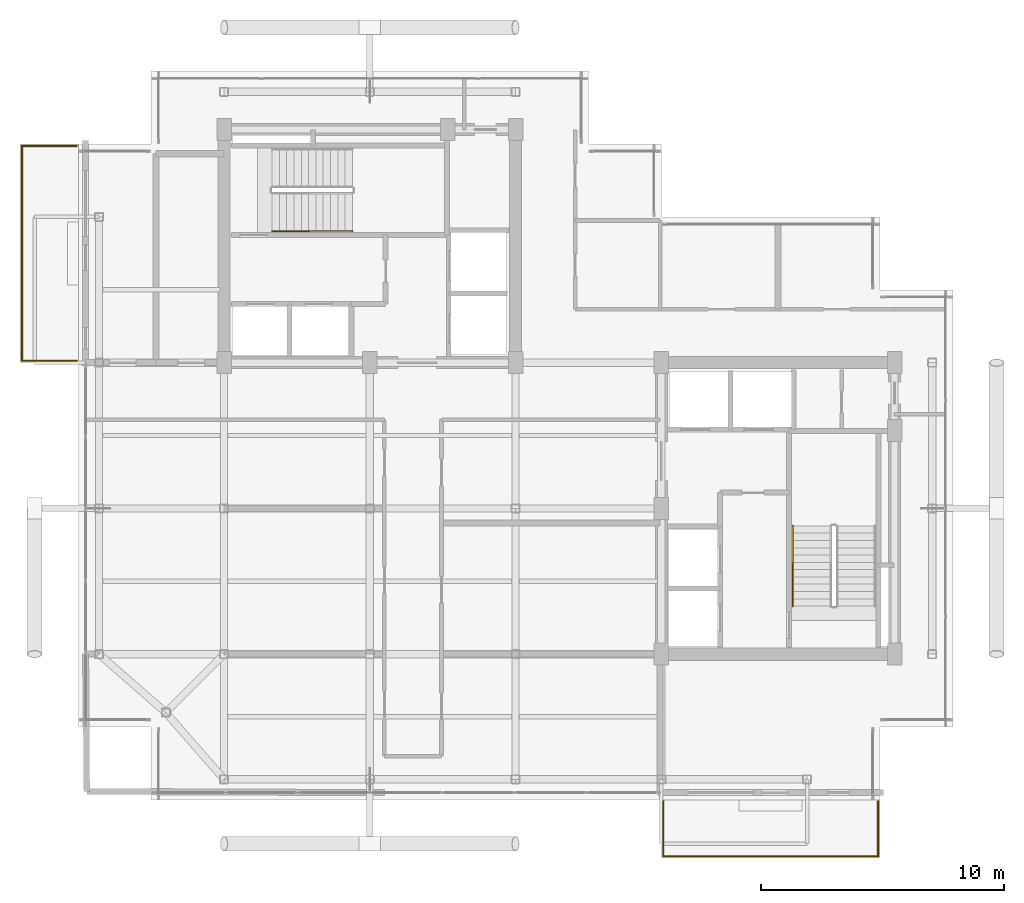
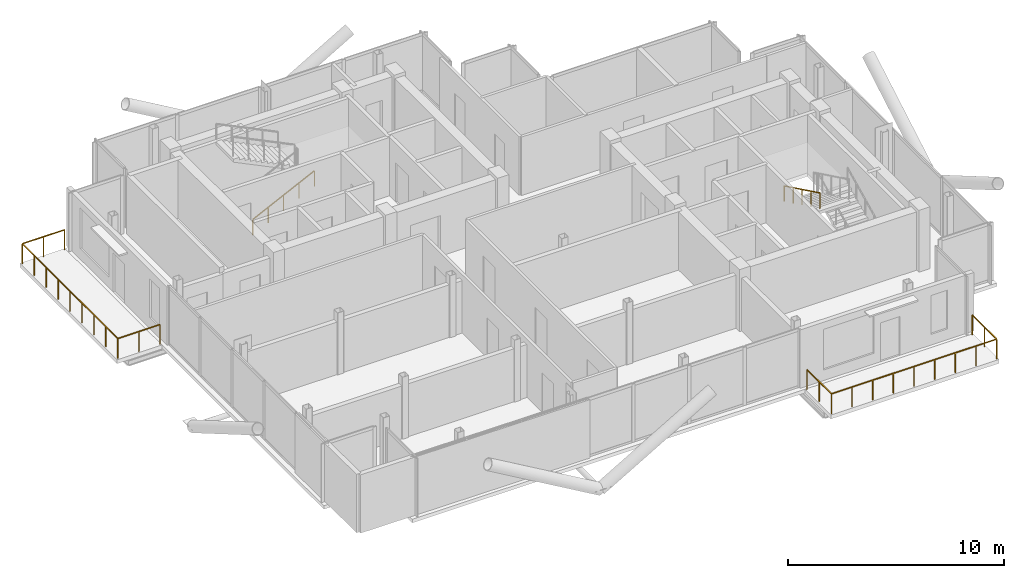
# One storey, part 17 of 18: 4 railings.
"""IFC4 building model written with IfcOpenShell, lengths in metres."""

from ifc_helpers import new_model, si_unit, direction, frame, origin, origin_2d, place, context, subcontext, project, spatial, rectangle, extrude, material, type_object, element, save


model = new_model("IFC4")

# Units and contexts
model_context = context("Model", 3, precision=1e-05, world=origin(), true_north=direction((0.0, 1.0)))
body_context = subcontext(model_context, "Body", "Model", "MODEL_VIEW")
ifc_project = project(units=[si_unit("LENGTHUNIT", "METRE"), si_unit("AREAUNIT", "SQUARE_METRE"), si_unit("VOLUMEUNIT", "CUBIC_METRE"), si_unit("PLANEANGLEUNIT", "RADIAN"), si_unit("MASSUNIT", "GRAM", prefix="KILO"), si_unit("THERMODYNAMICTEMPERATUREUNIT", "KELVIN"), si_unit("POWERUNIT", "WATT")], contexts=[model_context])

# Site, building, storey
site_placement = place(None, origin())
site = spatial("IfcSite", under=ifc_project, at=site_placement, CompositionType="ELEMENT")
building_placement = place(site_placement, origin())
building = spatial("IfcBuilding", under=site, at=building_placement, Name="Svarakhadi Broadcast Tower", CompositionType="ELEMENT")
storey_placement = place(building_placement, frame((0.0, 0.0, 288.699951171875)))
storey = spatial("IfcBuildingStorey", under=building, at=storey_placement, Name="L73", CompositionType="ELEMENT", Elevation=288.699951171875)

# Railings
ifc_material_1 = material(Name="Laminated Structural SentryGlas Balustrade 25.5 mm", Category="glass")
railing_type_1 = type_object("IfcRailingType", Name="Guard_Balcony_GR01", PredefinedType="BALUSTRADE", material=ifc_material_1)
railing_1_placement = place(storey_placement, frame((24.080078125, -0.06005859375, 0.0)))
element("IfcRailing", 1, at=railing_1_placement, inside=storey, type_object=railing_type_1, Name="L73 South Tree Balcony Guard GR-05", PredefinedType="BALUSTRADE", context=body_context, shape_type="SweptSolid", body=[
    extrude(rectangle(XDim=0.048095703125, YDim=0.048095703125, at=origin_2d()), frame((0.0, 0.0, 1.1259765625), z_axis=(0.0, -1.0, 0.0), x_axis=(1.0, 0.0, 0.0)), (0.0, 0.0, 1.0), 2.260009765625),
    extrude(rectangle(XDim=0.048095703125, YDim=0.048095703125, at=origin_2d()), frame((0.0, -2.260009765625, 1.1259765625), z_axis=(1.0, 0.0, 0.0), x_axis=(0.0, 1.0, 0.0)), (0.0, 0.0, 1.0), 8.83984375),
    extrude(rectangle(XDim=0.048095703125, YDim=0.048095703125, at=origin_2d()), frame((8.83984375, -2.260009765625, 1.1259765625), z_axis=(0.0, 1.0, 0.0), x_axis=(-1.0, 0.0, 0.0)), (0.0, 0.0, 1.0), 2.260009765625),
    extrude(rectangle(XDim=0.0419921875, YDim=0.0419921875, at=origin_2d()), origin(), (0.0, 0.0, 1.0), 1.101806640625),
    extrude(rectangle(XDim=0.0419921875, YDim=0.0419921875, at=origin_2d()), frame((0.0, -1.1298828125, 0.0)), (0.0, 0.0, 1.0), 1.101806640625),
    extrude(rectangle(XDim=0.0419921875, YDim=0.0419921875, at=origin_2d()), frame((0.0, -2.260009765625, 0.0)), (0.0, 0.0, 1.0), 1.101806640625),
    extrude(rectangle(XDim=0.0419921875, YDim=0.0419921875, at=origin_2d()), frame((1.10498046875, -2.260009765625, 0.0)), (0.0, 0.0, 1.0), 1.101806640625),
    extrude(rectangle(XDim=0.0419921875, YDim=0.0419921875, at=origin_2d()), frame((2.2099609375, -2.260009765625, 0.0)), (0.0, 0.0, 1.0), 1.101806640625),
    extrude(rectangle(XDim=0.0419921875, YDim=0.0419921875, at=origin_2d()), frame((3.31494140625, -2.260009765625, 0.0)), (0.0, 0.0, 1.0), 1.101806640625),
    extrude(rectangle(XDim=0.0419921875, YDim=0.0419921875, at=origin_2d()), frame((4.419921875, -2.260009765625, 0.0)), (0.0, 0.0, 1.0), 1.101806640625),
    extrude(rectangle(XDim=0.0419921875, YDim=0.0419921875, at=origin_2d()), frame((5.52490234375, -2.260009765625, 0.0)), (0.0, 0.0, 1.0), 1.101806640625),
    extrude(rectangle(XDim=0.0419921875, YDim=0.0419921875, at=origin_2d()), frame((6.6298828125, -2.260009765625, 0.0)), (0.0, 0.0, 1.0), 1.101806640625),
    extrude(rectangle(XDim=0.0419921875, YDim=0.0419921875, at=origin_2d()), frame((7.73486328125, -2.260009765625, 0.0)), (0.0, 0.0, 1.0), 1.101806640625),
    extrude(rectangle(XDim=0.0419921875, YDim=0.0419921875, at=origin_2d()), frame((8.83984375, -2.260009765625, 0.0)), (0.0, 0.0, 1.0), 1.101806640625),
    extrude(rectangle(XDim=0.0419921875, YDim=0.0419921875, at=origin_2d()), frame((8.83984375, -1.1298828125, 0.0)), (0.0, 0.0, 1.0), 1.101806640625),
    extrude(rectangle(XDim=0.0419921875, YDim=0.0419921875, at=origin_2d()), frame((8.83984375, 0.0, 0.0)), (0.0, 0.0, 1.0), 1.101806640625),
])
railing_2_placement = place(storey_placement, frame((-0.06005859375, 18.080078125, 0.0)))
element("IfcRailing", 2, at=railing_2_placement, inside=storey, type_object=railing_type_1, Name="L73 West Tree Balcony Guard GR-05", PredefinedType="BALUSTRADE", context=body_context, shape_type="SweptSolid", body=[
    extrude(rectangle(XDim=0.048095703125, YDim=0.048095703125, at=origin_2d()), frame((0.0, 0.0, 1.1259765625), z_axis=(-1.0, 0.0, 0.0), x_axis=(0.0, -1.0, 0.0)), (0.0, 0.0, 1.0), 2.260009765625),
    extrude(rectangle(XDim=0.048095703125, YDim=0.048095703125, at=origin_2d()), frame((-2.260009765625, 0.0, 1.1259765625), z_axis=(0.0, 1.0, 0.0), x_axis=(-1.0, 0.0, 0.0)), (0.0, 0.0, 1.0), 8.83984375),
    extrude(rectangle(XDim=0.048095703125, YDim=0.048095703125, at=origin_2d()), frame((-2.260009765625, 8.83984375, 1.1259765625), z_axis=(1.0, 0.0, 0.0), x_axis=(0.0, 1.0, 0.0)), (0.0, 0.0, 1.0), 2.260009765625),
    extrude(rectangle(XDim=0.0419921875, YDim=0.0419921875, at=origin_2d()), origin(), (0.0, 0.0, 1.0), 1.101806640625),
    extrude(rectangle(XDim=0.0419921875, YDim=0.0419921875, at=origin_2d()), frame((-1.1298828125, 0.0, 0.0)), (0.0, 0.0, 1.0), 1.101806640625),
    extrude(rectangle(XDim=0.0419921875, YDim=0.0419921875, at=origin_2d()), frame((-2.260009765625, 0.0, 0.0)), (0.0, 0.0, 1.0), 1.101806640625),
    extrude(rectangle(XDim=0.0419921875, YDim=0.0419921875, at=origin_2d()), frame((-2.260009765625, 1.10498046875, 0.0)), (0.0, 0.0, 1.0), 1.101806640625),
    extrude(rectangle(XDim=0.0419921875, YDim=0.0419921875, at=origin_2d()), frame((-2.260009765625, 2.2099609375, 0.0)), (0.0, 0.0, 1.0), 1.101806640625),
    extrude(rectangle(XDim=0.0419921875, YDim=0.0419921875, at=origin_2d()), frame((-2.260009765625, 3.31494140625, 0.0)), (0.0, 0.0, 1.0), 1.101806640625),
    extrude(rectangle(XDim=0.0419921875, YDim=0.0419921875, at=origin_2d()), frame((-2.260009765625, 4.419921875, 0.0)), (0.0, 0.0, 1.0), 1.101806640625),
    extrude(rectangle(XDim=0.0419921875, YDim=0.0419921875, at=origin_2d()), frame((-2.260009765625, 5.52490234375, 0.0)), (0.0, 0.0, 1.0), 1.101806640625),
    extrude(rectangle(XDim=0.0419921875, YDim=0.0419921875, at=origin_2d()), frame((-2.260009765625, 6.6298828125, 0.0)), (0.0, 0.0, 1.0), 1.101806640625),
    extrude(rectangle(XDim=0.0419921875, YDim=0.0419921875, at=origin_2d()), frame((-2.260009765625, 7.73486328125, 0.0)), (0.0, 0.0, 1.0), 1.101806640625),
    extrude(rectangle(XDim=0.0419921875, YDim=0.0419921875, at=origin_2d()), frame((-2.260009765625, 8.83984375, 0.0)), (0.0, 0.0, 1.0), 1.101806640625),
    extrude(rectangle(XDim=0.0419921875, YDim=0.0419921875, at=origin_2d()), frame((-1.1298828125, 8.83984375, 0.0)), (0.0, 0.0, 1.0), 1.101806640625),
    extrude(rectangle(XDim=0.0419921875, YDim=0.0419921875, at=origin_2d()), frame((0.0, 8.83984375, 0.0)), (0.0, 0.0, 1.0), 1.101806640625),
])
ifc_material_2 = material(Name="Anodised Bronze Aluminium AA 6063-T6", Category="aluminium")
railing_type_2 = type_object("IfcRailingType", Name="Handrail_Stair_HR01", PredefinedType="HANDRAIL", material=ifc_material_2)
railing_3_placement = place(storey_placement, frame((7.97998046875, 23.409912109375, 0.14599609375)))
element("IfcRailing", 3, at=railing_3_placement, inside=storey, type_object=railing_type_2, Name="L73 ST-01 stair handrail 1", PredefinedType="HANDRAIL", context=body_context, shape_type="SweptSolid", body=[
    extrude(rectangle(XDim=0.048095703125, YDim=0.048095703125, at=origin_2d()), frame((0.0, 0.0, 0.8759765625), z_axis=(0.899387838337, 0.0, 0.437151594131), x_axis=(0.0, 1.0, 0.0)), (0.0, 0.0, 1.0), 3.669189453125),
    extrude(rectangle(XDim=0.0419921875, YDim=0.0419921875, at=origin_2d()), origin(), (0.0, 0.0, 1.0), 0.851806640625),
    extrude(rectangle(XDim=0.0419921875, YDim=0.0419921875, at=origin_2d()), frame((0.824951171875, 0.0, 0.40087890625)), (0.0, 0.0, 1.0), 0.851806640625),
    extrude(rectangle(XDim=0.0419921875, YDim=0.0419921875, at=origin_2d()), frame((1.64990234375, 0.0, 0.802001953125)), (0.0, 0.0, 1.0), 0.851806640625),
    extrude(rectangle(XDim=0.0419921875, YDim=0.0419921875, at=origin_2d()), frame((2.47509765625, 0.0, 1.203125)), (0.0, 0.0, 1.0), 0.851806640625),
    extrude(rectangle(XDim=0.0419921875, YDim=0.0419921875, at=origin_2d()), frame((3.300048828125, 0.0, 1.60400390625)), (0.0, 0.0, 1.0), 0.851806640625),
])
railing_4_placement = place(storey_placement, frame((29.409912109375, 11.280029296875, 1.89599609375)))
element("IfcRailing", 4, at=railing_4_placement, inside=storey, type_object=railing_type_2, Name="L73 ST-02 stair handrail 2", PredefinedType="HANDRAIL", context=body_context, shape_type="SweptSolid", body=[
    extrude(rectangle(XDim=0.048095703125, YDim=0.048095703125, at=origin_2d()), frame((0.0, 0.0, 0.8759765625), z_axis=(0.0, -0.899387838337, 0.437151594131), x_axis=(1.0, 0.0, 0.0)), (0.0, 0.0, 1.0), 3.669189453125),
    extrude(rectangle(XDim=0.0419921875, YDim=0.0419921875, at=origin_2d()), origin(), (0.0, 0.0, 1.0), 0.851806640625),
    extrude(rectangle(XDim=0.0419921875, YDim=0.0419921875, at=origin_2d()), frame((0.0, -0.824951171875, 0.40087890625)), (0.0, 0.0, 1.0), 0.851806640625),
    extrude(rectangle(XDim=0.0419921875, YDim=0.0419921875, at=origin_2d()), frame((0.0, -1.64990234375, 0.802001953125)), (0.0, 0.0, 1.0), 0.851806640625),
    extrude(rectangle(XDim=0.0419921875, YDim=0.0419921875, at=origin_2d()), frame((0.0, -2.47509765625, 1.203125)), (0.0, 0.0, 1.0), 0.851806640625),
    extrude(rectangle(XDim=0.0419921875, YDim=0.0419921875, at=origin_2d()), frame((0.0, -3.300048828125, 1.60400390625)), (0.0, 0.0, 1.0), 0.851806640625),
])

save(model, "model.ifc")
